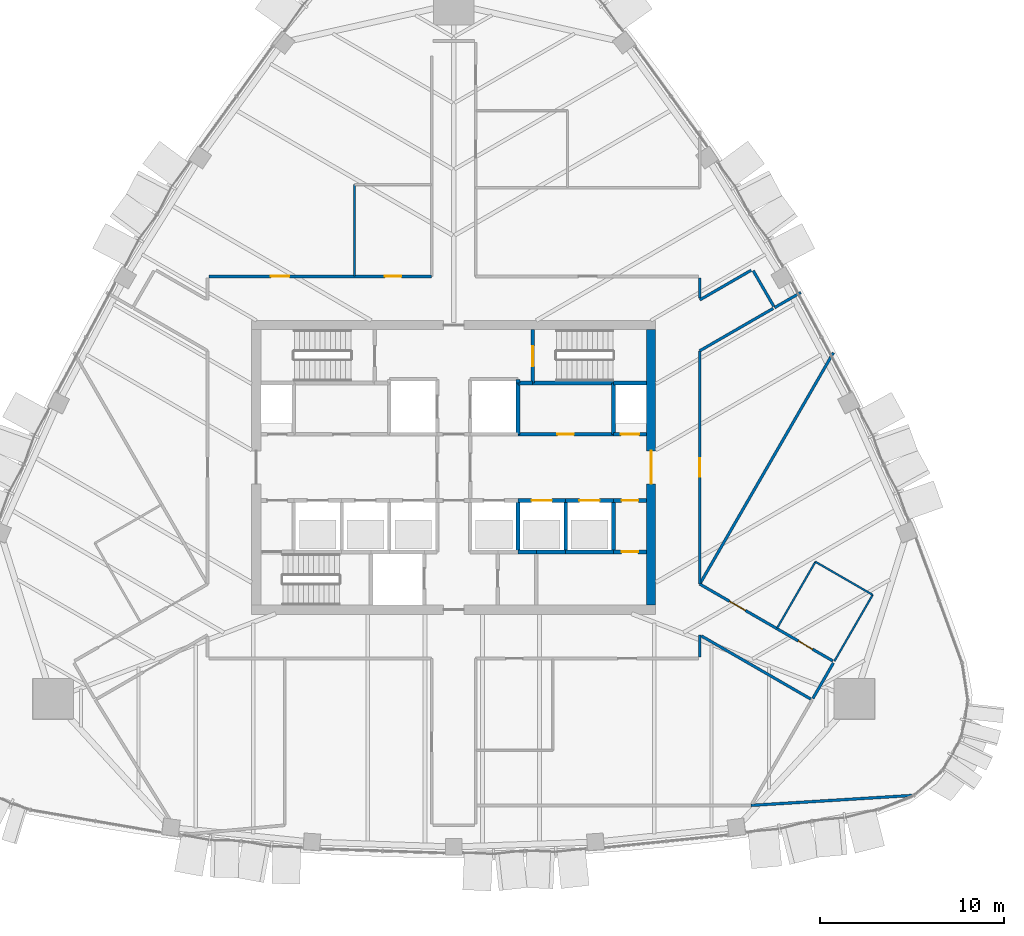
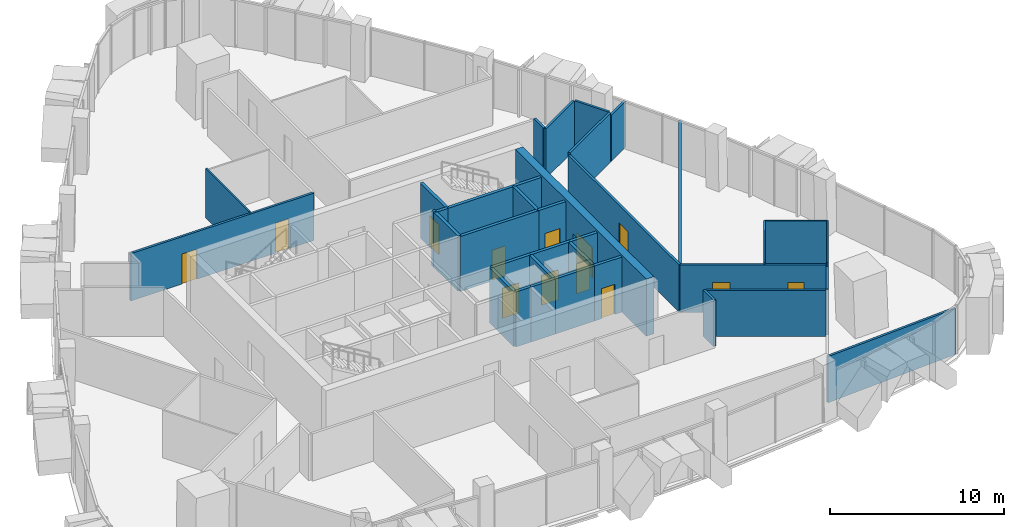
# One storey, part 13 of 18: 37 walls, 13 doors, 13 openings.
"""IFC4 building model written with IfcOpenShell, lengths in metres."""

from ifc_helpers import new_model, si_unit, direction, frame, frame_2d, origin, place, context, subcontext, project, spatial, rectangle, extrude, material, layer, layer_set, type_object, element, fill, save


model = new_model("IFC4")

# Units and contexts
model_context = context("Model", 3, precision=1e-05, world=origin(), true_north=direction((0.0, 1.0)))
body_context = subcontext(model_context, "Body", "Model", "MODEL_VIEW")
ifc_project = project(units=[si_unit("LENGTHUNIT", "METRE"), si_unit("AREAUNIT", "SQUARE_METRE"), si_unit("VOLUMEUNIT", "CUBIC_METRE"), si_unit("PLANEANGLEUNIT", "RADIAN"), si_unit("MASSUNIT", "GRAM", prefix="KILO")], contexts=[model_context])

# Site, building, storey
site_placement = place(None, origin())
site = spatial("IfcSite", under=ifc_project, at=site_placement, CompositionType="ELEMENT")
building_placement = place(site_placement, origin())
building = spatial("IfcBuilding", under=site, at=building_placement, Name="Sierra Prisma Convention Tower", CompositionType="ELEMENT")
storey_placement = place(building_placement, frame((0.0, 0.0, 247.0)))
storey = spatial("IfcBuildingStorey", under=building, at=storey_placement, Name="L55", CompositionType="ELEMENT", Elevation=247.0)

# Walls
ifc_material_1 = material(Name="Gypsum board partition", Category="gypsum")
ifc_layer_1 = layer(ifc_material_1, 0.10009765625)
ifc_layer_set_1 = layer_set([ifc_layer_1], Name="Bathroom partition 100")
wall_type_1 = type_object("IfcWallType", Name="Bathroom partition 100", PredefinedType="PARTITIONING", material=ifc_layer_set_1)
wall_1_placement = place(storey_placement, frame((-5.39990234375, 10.429931640625, 0.0), z_axis=(0.0, 0.0, 1.0), x_axis=(0.0, 1.0, 0.0)))
element("IfcWall", 1, at=wall_1_placement, inside=storey, type_object=wall_type_1, Name="Partition L55 bath 3", PredefinedType="PARTITIONING", context=body_context, shape_type="SweptSolid", body=[
    extrude(rectangle(XDim=4.969970703125, YDim=0.10009765625, at=frame_2d((2.48486328125, 0.0))), origin(), (0.0, 0.0, 1.0), 3.449951171875),
])
wall_2_placement = place(storey_placement, frame((17.611328125, -8.747802734375, 0.0), z_axis=(0.0, 0.0, 1.0), x_axis=(0.499967396439, 0.866044226641, 0.0)))
element("IfcWall", 2, at=wall_2_placement, inside=storey, type_object=wall_type_1, Name="Partition L55 bath 9", PredefinedType="PARTITIONING", context=body_context, shape_type="SweptSolid", body=[
    extrude(rectangle(XDim=4.170166015625, YDim=0.10009765625, at=frame_2d((2.0849609375, 0.0))), origin(), (0.0, 0.0, 1.0), 3.449951171875),
])
wall_3_placement = place(storey_placement, frame((19.6962890625, -5.13623046875, 0.0), z_axis=(0.0, 0.0, 1.0), x_axis=(0.866035395735, -0.499982693035, 0.0)))
element("IfcWall", 3, at=wall_3_placement, inside=storey, type_object=wall_type_1, Name="Partition L55 bath 10", PredefinedType="PARTITIONING", context=body_context, shape_type="SweptSolid", body=[
    extrude(rectangle(XDim=3.600341796875, YDim=0.10009765625, at=frame_2d((1.80029296875, 0.0))), origin(), (0.0, 0.0, 1.0), 3.443115234375),
])
wall_4_placement = place(storey_placement, frame((22.814208984375, -6.936279296875, 0.0), z_axis=(0.0, 0.0, 1.0), x_axis=(-0.500036655653, -0.866004239599, 0.0)))
element("IfcWall", 4, at=wall_4_placement, inside=storey, type_object=wall_type_1, Name="Partition L55 bath 11", PredefinedType="PARTITIONING", context=body_context, shape_type="SweptSolid", body=[
    extrude(rectangle(XDim=4.170166015625, YDim=0.10009765625, at=frame_2d((2.0849609375, 0.0))), origin(), (0.0, 0.0, 1.0), 3.449951171875),
])
ifc_material_2 = material(Name="Concrete C30/37", Category="concrete")
ifc_layer_2 = layer(ifc_material_2, 0.199951171875)
ifc_layer_set_2 = layer_set([ifc_layer_2], Name="Core wall RC 200 C30/37")
wall_type_2 = type_object("IfcWallType", Name="Core wall RC 200 C30/37", PredefinedType="SOLIDWALL", material=ifc_layer_set_2)
wall_5_placement = place(storey_placement, frame((3.5, 4.60009765625, 0.0), z_axis=(0.0, 0.0, 1.0), x_axis=(0.0, 1.0, 0.0)))
element("IfcWall", 5, at=wall_5_placement, inside=storey, type_object=wall_type_2, Name="Core wall L55 37", PredefinedType="SOLIDWALL", context=body_context, shape_type="SweptSolid", body=[
    extrude(rectangle(XDim=0.199951171875, YDim=0.199951171875, at=frame_2d((0.10009765625, 0.0))), origin(), (0.0, 0.0, 1.0), 3.85009765625),
])
wall_6_placement = place(storey_placement, frame((4.5, -4.60009765625, 0.0), z_axis=(0.0, 0.0, 1.0), x_axis=(-1.0, 0.0, 0.0)))
element("IfcWall", 6, at=wall_6_placement, inside=storey, type_object=wall_type_2, Name="Core wall L55 42", PredefinedType="SOLIDWALL", context=body_context, shape_type="SweptSolid", body=[
    extrude(rectangle(XDim=1.0, YDim=0.199951171875, at=frame_2d((0.5, 0.0))), origin(), (0.0, 0.0, 1.0), 3.85009765625),
])
wall_7_placement = place(storey_placement, frame((3.5, -4.60009765625, 0.0), z_axis=(0.0, 0.0, 1.0), x_axis=(0.0, 1.0, 0.0)))
element("IfcWall", 7, at=wall_7_placement, inside=storey, type_object=wall_type_2, Name="Core wall L55 43", PredefinedType="SOLIDWALL", context=body_context, shape_type="SweptSolid", body=[
    extrude(rectangle(XDim=2.800048828125, YDim=0.199951171875, at=frame_2d((1.39990234375, 0.0))), origin(), (0.0, 0.0, 1.0), 3.85009765625),
])

# Wall, opening, door
wall_8_placement = place(storey_placement, frame((3.5, -1.800048828125, 0.0), z_axis=(0.0, 0.0, 1.0), x_axis=(1.0, 0.0, 0.0)))
wall_8 = element("IfcWall", 8, at=wall_8_placement, inside=storey, type_object=wall_type_2, Name="Core wall L55 44", PredefinedType="SOLIDWALL", context=body_context, shape_type="SweptSolid", body=[
    extrude(rectangle(XDim=2.60009765625, YDim=0.199951171875, at=frame_2d((1.300048828125, 0.0))), origin(), (0.0, 0.0, 1.0), 3.85009765625),
])
opening_1_placement = place(wall_8_placement, frame((0.75, 0.0, 0.0)))
opening_1 = element("IfcOpeningElement", 9, at=opening_1_placement, cuts=wall_8, Name="Opening L55-D005", PredefinedType="OPENING", context=body_context, shape_type="SweptSolid", body=[
    extrude(rectangle(XDim=1.10009765625, YDim=2.10009765625, at=frame_2d((0.550048828125, 1.050048828125))), frame((0.0, 0.10009765625, 0.0), z_axis=(0.0, -1.0, 0.0), x_axis=(1.0, 0.0, 0.0)), (0.0, 0.0, 1.0), 0.199951171875),
])
ifc_material_3 = material(Name="Steel fire door leaf", Category="steel")
door_type_1 = type_object("IfcDoorType", Name="Door 1100x2100 EI 90 sliding lift landing", OperationType="SLIDING_TO_LEFT", PredefinedType="DOOR", material=ifc_material_3)
door_1_placement = place(opening_1_placement, origin())
door_1 = element("IfcDoor", 10, at=door_1_placement, inside=storey, type_object=door_type_1, Name="Door L55 20", OperationType="SLIDING_TO_LEFT", OverallHeight=2.10009765625, OverallWidth=1.10009765625, PredefinedType="DOOR", context=body_context, shape_type="SweptSolid", body=[
    extrude(rectangle(XDim=1.10009765625, YDim=2.10009765625, at=frame_2d((0.550048828125, 1.050048828125))), frame((0.0, 0.02490234375, 0.0), z_axis=(0.0, -1.0, 0.0), x_axis=(1.0, 0.0, 0.0)), (0.0, 0.0, 1.0), 0.050048828125),
])
fill(opening_1, door_1)

wall_9_placement = place(storey_placement, frame((3.5, 1.800048828125, 0.0), z_axis=(0.0, 0.0, 1.0), x_axis=(1.0, 0.0, 0.0)))
wall_9 = element("IfcWall", 11, at=wall_9_placement, inside=storey, type_object=wall_type_2, Name="Core wall L55 45", PredefinedType="SOLIDWALL", context=body_context, shape_type="SweptSolid", body=[
    extrude(rectangle(XDim=5.199951171875, YDim=0.199951171875, at=frame_2d((2.60009765625, 0.0))), origin(), (0.0, 0.0, 1.0), 3.85009765625),
])
opening_2_placement = place(wall_9_placement, frame((2.14990234375, 0.0, 0.0)))
opening_2 = element("IfcOpeningElement", 12, at=opening_2_placement, cuts=wall_9, Name="Opening L55-D020", PredefinedType="OPENING", context=body_context, shape_type="SweptSolid", body=[
    extrude(rectangle(XDim=0.89990234375, YDim=2.10009765625, at=frame_2d((0.449951171875, 1.050048828125))), frame((0.0, 0.10009765625, 0.0), z_axis=(0.0, -1.0, 0.0), x_axis=(1.0, 0.0, 0.0)), (0.0, 0.0, 1.0), 0.199951171875),
])
ifc_material_4 = material(Name="Steel fire door leaf", Category="steel")
door_type_2 = type_object("IfcDoorType", Name="Door 900x2100 FD30S", OperationType="SINGLE_SWING_LEFT", PredefinedType="DOOR", material=ifc_material_4)
door_2_placement = place(opening_2_placement, origin())
door_2 = element("IfcDoor", 13, at=door_2_placement, inside=storey, type_object=door_type_2, Name="Door L55 35", OperationType="SINGLE_SWING_RIGHT", OverallHeight=2.10009765625, OverallWidth=0.89990234375, PredefinedType="DOOR", context=body_context, shape_type="SweptSolid", body=[
    extrude(rectangle(XDim=0.89990234375, YDim=2.10009765625, at=frame_2d((0.449951171875, 1.050048828125))), frame((0.0, 0.02490234375, 0.0), z_axis=(0.0, -1.0, 0.0), x_axis=(1.0, 0.0, 0.0)), (0.0, 0.0, 1.0), 0.050048828125),
])
fill(opening_2, door_2)

# Walls
wall_10_placement = place(storey_placement, frame((3.5, 4.60009765625, 0.0), z_axis=(0.0, 0.0, 1.0), x_axis=(0.0, -1.0, 0.0)))
element("IfcWall", 14, at=wall_10_placement, inside=storey, type_object=wall_type_2, Name="Core wall L55 46", PredefinedType="SOLIDWALL", context=body_context, shape_type="SweptSolid", body=[
    extrude(rectangle(XDim=2.800048828125, YDim=0.199951171875, at=frame_2d((1.39990234375, 0.0))), origin(), (0.0, 0.0, 1.0), 3.85009765625),
])
wall_11_placement = place(storey_placement, frame((4.300048828125, 4.60009765625, 0.0), z_axis=(0.0, 0.0, 1.0), x_axis=(-1.0, 0.0, 0.0)))
element("IfcWall", 15, at=wall_11_placement, inside=storey, type_object=wall_type_2, Name="Core wall L55 47", PredefinedType="SOLIDWALL", context=body_context, shape_type="SweptSolid", body=[
    extrude(rectangle(XDim=0.800048828125, YDim=0.199951171875, at=frame_2d((0.39990234375, 0.0))), origin(), (0.0, 0.0, 1.0), 3.85009765625),
])
wall_12_placement = place(storey_placement, frame((8.699951171875, 4.60009765625, 0.0), z_axis=(0.0, 0.0, 1.0), x_axis=(-1.0, 0.0, 0.0)))
element("IfcWall", 16, at=wall_12_placement, inside=storey, type_object=wall_type_2, Name="Core wall L55 48", PredefinedType="SOLIDWALL", context=body_context, shape_type="SweptSolid", body=[
    extrude(rectangle(XDim=4.39990234375, YDim=0.199951171875, at=frame_2d((2.199951171875, 0.0))), origin(), (0.0, 0.0, 1.0), 3.85009765625),
])

# Wall, opening, door
wall_13_placement = place(storey_placement, frame((4.300048828125, 7.5, 0.0), z_axis=(0.0, 0.0, 1.0), x_axis=(0.0, -1.0, 0.0)))
wall_13 = element("IfcWall", 17, at=wall_13_placement, inside=storey, type_object=wall_type_2, Name="Core wall L55 49", PredefinedType="SOLIDWALL", context=body_context, shape_type="SweptSolid", body=[
    extrude(rectangle(XDim=2.89990234375, YDim=0.199951171875, at=frame_2d((1.449951171875, 0.0))), origin(), (0.0, 0.0, 1.0), 3.85009765625),
])
opening_3_placement = place(wall_13_placement, frame((0.89990234375, 0.0, 0.0)))
opening_3 = element("IfcOpeningElement", 18, at=opening_3_placement, cuts=wall_13, Name="Opening L55-D019", PredefinedType="OPENING", context=body_context, shape_type="SweptSolid", body=[
    extrude(rectangle(XDim=1.10009765625, YDim=2.10009765625, at=frame_2d((0.550048828125, 1.050048828125))), frame((0.0, 0.10009765625, 0.0), z_axis=(0.0, -1.0, 0.0), x_axis=(1.0, 0.0, 0.0)), (0.0, 0.0, 1.0), 0.199951171875),
])
ifc_material_5 = material(Name="Steel fire door leaf", Category="steel")
door_type_3 = type_object("IfcDoorType", Name="Door 1100x2100 FD90S", OperationType="SINGLE_SWING_LEFT", PredefinedType="DOOR", material=ifc_material_5)
door_3_placement = place(opening_3_placement, origin())
door_3 = element("IfcDoor", 19, at=door_3_placement, inside=storey, type_object=door_type_3, Name="Door L55 34", OperationType="SINGLE_SWING_RIGHT", OverallHeight=2.10009765625, OverallWidth=1.10009765625, PredefinedType="DOOR", context=body_context, shape_type="SweptSolid", body=[
    extrude(rectangle(XDim=1.10009765625, YDim=2.10009765625, at=frame_2d((0.550048828125, 1.050048828125))), frame((0.0, 0.02490234375, 0.0), z_axis=(0.0, -1.0, 0.0), x_axis=(1.0, 0.0, 0.0)), (0.0, 0.0, 1.0), 0.050048828125),
])
fill(opening_3, door_3)

# Walls
wall_14_placement = place(storey_placement, frame((6.10009765625, -4.60009765625, 0.0), z_axis=(0.0, 0.0, 1.0), x_axis=(-1.0, 0.0, 0.0)))
element("IfcWall", 20, at=wall_14_placement, inside=storey, type_object=wall_type_2, Name="Core wall L55 51", PredefinedType="SOLIDWALL", context=body_context, shape_type="SweptSolid", body=[
    extrude(rectangle(XDim=1.60009765625, YDim=0.199951171875, at=frame_2d((0.800048828125, 0.0))), origin(), (0.0, 0.0, 1.0), 3.85009765625),
])
wall_15_placement = place(storey_placement, frame((8.699951171875, -4.60009765625, 0.0), z_axis=(0.0, 0.0, 1.0), x_axis=(-1.0, 0.0, 0.0)))
element("IfcWall", 21, at=wall_15_placement, inside=storey, type_object=wall_type_2, Name="Core wall L55 52", PredefinedType="SOLIDWALL", context=body_context, shape_type="SweptSolid", body=[
    extrude(rectangle(XDim=2.599853515625, YDim=0.199951171875, at=frame_2d((1.2998046875, 0.0))), origin(), (0.0, 0.0, 1.0), 3.85009765625),
])
wall_16_placement = place(storey_placement, frame((6.10009765625, -4.60009765625, 0.0), z_axis=(0.0, 0.0, 1.0), x_axis=(0.0, 1.0, 0.0)))
element("IfcWall", 22, at=wall_16_placement, inside=storey, type_object=wall_type_2, Name="Core wall L55 53", PredefinedType="SOLIDWALL", context=body_context, shape_type="SweptSolid", body=[
    extrude(rectangle(XDim=2.800048828125, YDim=0.199951171875, at=frame_2d((1.39990234375, 0.0))), origin(), (0.0, 0.0, 1.0), 3.85009765625),
])

# Wall, opening, door
wall_17_placement = place(storey_placement, frame((6.10009765625, -1.800048828125, 0.0), z_axis=(0.0, 0.0, 1.0), x_axis=(1.0, 0.0, 0.0)))
wall_17 = element("IfcWall", 23, at=wall_17_placement, inside=storey, type_object=wall_type_2, Name="Core wall L55 54", PredefinedType="SOLIDWALL", context=body_context, shape_type="SweptSolid", body=[
    extrude(rectangle(XDim=2.599853515625, YDim=0.199951171875, at=frame_2d((1.2998046875, 0.0))), origin(), (0.0, 0.0, 1.0), 3.85009765625),
])
opening_4_placement = place(wall_17_placement, frame((0.75, 0.0, 0.0)))
opening_4 = element("IfcOpeningElement", 24, at=opening_4_placement, cuts=wall_17, Name="Opening L55-D006", PredefinedType="OPENING", context=body_context, shape_type="SweptSolid", body=[
    extrude(rectangle(XDim=1.10009765625, YDim=2.10009765625, at=frame_2d((0.550048828125, 1.050048828125))), frame((0.0, 0.10009765625, 0.0), z_axis=(0.0, -1.0, 0.0), x_axis=(1.0, 0.0, 0.0)), (0.0, 0.0, 1.0), 0.199951171875),
])
door_4_placement = place(opening_4_placement, origin())
door_4 = element("IfcDoor", 25, at=door_4_placement, inside=storey, type_object=door_type_1, Name="Door L55 21", OperationType="SLIDING_TO_LEFT", OverallHeight=2.10009765625, OverallWidth=1.10009765625, PredefinedType="DOOR", context=body_context, shape_type="SweptSolid", body=[
    extrude(rectangle(XDim=1.10009765625, YDim=2.10009765625, at=frame_2d((0.550048828125, 1.050048828125))), frame((0.0, 0.02490234375, 0.0), z_axis=(0.0, -1.0, 0.0), x_axis=(1.0, 0.0, 0.0)), (0.0, 0.0, 1.0), 0.050048828125),
])
fill(opening_4, door_4)

wall_18_placement = place(storey_placement, frame((10.5, -4.60009765625, 0.0), z_axis=(0.0, 0.0, 1.0), x_axis=(-1.0, 0.0, 0.0)))
wall_18 = element("IfcWall", 26, at=wall_18_placement, inside=storey, type_object=wall_type_2, Name="Core wall L55 55", PredefinedType="SOLIDWALL", context=body_context, shape_type="SweptSolid", body=[
    extrude(rectangle(XDim=1.800048828125, YDim=0.199951171875, at=frame_2d((0.89990234375, 0.0))), origin(), (0.0, 0.0, 1.0), 3.85009765625),
])
opening_5_placement = place(wall_18_placement, frame((0.4599609375, 0.0, 0.0)))
opening_5 = element("IfcOpeningElement", 27, at=opening_5_placement, cuts=wall_18, Name="Opening L55-D022", PredefinedType="OPENING", context=body_context, shape_type="SweptSolid", body=[
    extrude(rectangle(XDim=0.89990234375, YDim=2.10009765625, at=frame_2d((0.449951171875, 1.050048828125))), frame((0.0, 0.10009765625, 0.0), z_axis=(0.0, -1.0, 0.0), x_axis=(1.0, 0.0, 0.0)), (0.0, 0.0, 1.0), 0.199951171875),
])
door_5_placement = place(opening_5_placement, origin())
door_5 = element("IfcDoor", 28, at=door_5_placement, inside=storey, type_object=door_type_2, Name="Door L55 37", OperationType="SINGLE_SWING_LEFT", OverallHeight=2.10009765625, OverallWidth=0.89990234375, PredefinedType="DOOR", context=body_context, shape_type="SweptSolid", body=[
    extrude(rectangle(XDim=0.89990234375, YDim=2.10009765625, at=frame_2d((0.449951171875, 1.050048828125))), frame((0.0, 0.02490234375, 0.0), z_axis=(0.0, -1.0, 0.0), x_axis=(1.0, 0.0, 0.0)), (0.0, 0.0, 1.0), 0.050048828125),
])
fill(opening_5, door_5)

# Wall
wall_19_placement = place(storey_placement, frame((8.699951171875, -1.800048828125, 0.0), z_axis=(0.0, 0.0, 1.0), x_axis=(0.0, -1.0, 0.0)))
element("IfcWall", 29, at=wall_19_placement, inside=storey, type_object=wall_type_2, Name="Core wall L55 56", PredefinedType="SOLIDWALL", context=body_context, shape_type="SweptSolid", body=[
    extrude(rectangle(XDim=2.800048828125, YDim=0.199951171875, at=frame_2d((1.39990234375, 0.0))), origin(), (0.0, 0.0, 1.0), 3.85009765625),
])

# Wall, opening, door
wall_20_placement = place(storey_placement, frame((8.699951171875, -1.800048828125, 0.0), z_axis=(0.0, 0.0, 1.0), x_axis=(1.0, 0.0, 0.0)))
wall_20 = element("IfcWall", 30, at=wall_20_placement, inside=storey, type_object=wall_type_2, Name="Core wall L55 57", PredefinedType="SOLIDWALL", context=body_context, shape_type="SweptSolid", body=[
    extrude(rectangle(XDim=1.800048828125, YDim=0.199951171875, at=frame_2d((0.89990234375, 0.0))), origin(), (0.0, 0.0, 1.0), 3.85009765625),
])
opening_6_placement = place(wall_20_placement, frame((0.449951171875, 0.0, 0.0)))
opening_6 = element("IfcOpeningElement", 31, at=opening_6_placement, cuts=wall_20, Name="Opening L55-D023", PredefinedType="OPENING", context=body_context, shape_type="SweptSolid", body=[
    extrude(rectangle(XDim=0.89990234375, YDim=2.10009765625, at=frame_2d((0.449951171875, 1.050048828125))), frame((0.0, 0.10009765625, 0.0), z_axis=(0.0, -1.0, 0.0), x_axis=(1.0, 0.0, 0.0)), (0.0, 0.0, 1.0), 0.199951171875),
])
door_6_placement = place(opening_6_placement, origin())
door_6 = element("IfcDoor", 32, at=door_6_placement, inside=storey, type_object=door_type_2, Name="Door L55 38", OperationType="SINGLE_SWING_LEFT", OverallHeight=2.10009765625, OverallWidth=0.89990234375, PredefinedType="DOOR", context=body_context, shape_type="SweptSolid", body=[
    extrude(rectangle(XDim=0.89990234375, YDim=2.10009765625, at=frame_2d((0.449951171875, 1.050048828125))), frame((0.0, 0.02490234375, 0.0), z_axis=(0.0, -1.0, 0.0), x_axis=(1.0, 0.0, 0.0)), (0.0, 0.0, 1.0), 0.050048828125),
])
fill(opening_6, door_6)

wall_21_placement = place(storey_placement, frame((10.5, 1.800048828125, 0.0), z_axis=(0.0, 0.0, 1.0), x_axis=(-1.0, 0.0, 0.0)))
wall_21 = element("IfcWall", 33, at=wall_21_placement, inside=storey, type_object=wall_type_2, Name="Core wall L55 58", PredefinedType="SOLIDWALL", context=body_context, shape_type="SweptSolid", body=[
    extrude(rectangle(XDim=1.800048828125, YDim=0.199951171875, at=frame_2d((0.89990234375, 0.0))), origin(), (0.0, 0.0, 1.0), 3.85009765625),
])
opening_7_placement = place(wall_21_placement, frame((0.39990234375, 0.0, 0.0)))
opening_7 = element("IfcOpeningElement", 34, at=opening_7_placement, cuts=wall_21, Name="Opening L55-D016", PredefinedType="OPENING", context=body_context, shape_type="SweptSolid", body=[
    extrude(rectangle(XDim=1.0, YDim=2.10009765625, at=frame_2d((0.5, 1.050048828125))), frame((0.0, 0.10009765625, 0.0), z_axis=(0.0, -1.0, 0.0), x_axis=(1.0, 0.0, 0.0)), (0.0, 0.0, 1.0), 0.199951171875),
])
ifc_material_6 = material(Name="Steel fire door leaf", Category="steel")
door_type_4 = type_object("IfcDoorType", Name="Door 1000x2100 FD60S", OperationType="SINGLE_SWING_LEFT", PredefinedType="DOOR", material=ifc_material_6)
door_7_placement = place(opening_7_placement, origin())
door_7 = element("IfcDoor", 35, at=door_7_placement, inside=storey, type_object=door_type_4, Name="Door L55 31", OperationType="SINGLE_SWING_LEFT", OverallHeight=2.10009765625, OverallWidth=1.0, PredefinedType="DOOR", context=body_context, shape_type="SweptSolid", body=[
    extrude(rectangle(XDim=1.0, YDim=2.10009765625, at=frame_2d((0.5, 1.050048828125))), frame((0.0, 0.02490234375, 0.0), z_axis=(0.0, -1.0, 0.0), x_axis=(1.0, 0.0, 0.0)), (0.0, 0.0, 1.0), 0.050048828125),
])
fill(opening_7, door_7)

# Walls
wall_22_placement = place(storey_placement, frame((8.699951171875, 1.800048828125, 0.0), z_axis=(0.0, 0.0, 1.0), x_axis=(0.0, 1.0, 0.0)))
element("IfcWall", 36, at=wall_22_placement, inside=storey, type_object=wall_type_2, Name="Core wall L55 59", PredefinedType="SOLIDWALL", context=body_context, shape_type="SweptSolid", body=[
    extrude(rectangle(XDim=2.800048828125, YDim=0.199951171875, at=frame_2d((1.39990234375, 0.0))), origin(), (0.0, 0.0, 1.0), 3.85009765625),
])
wall_23_placement = place(storey_placement, frame((10.5, 4.60009765625, 0.0), z_axis=(0.0, 0.0, 1.0), x_axis=(-1.0, 0.0, 0.0)))
element("IfcWall", 37, at=wall_23_placement, inside=storey, type_object=wall_type_2, Name="Core wall L55 60", PredefinedType="SOLIDWALL", context=body_context, shape_type="SweptSolid", body=[
    extrude(rectangle(XDim=1.800048828125, YDim=0.199951171875, at=frame_2d((0.89990234375, 0.0))), origin(), (0.0, 0.0, 1.0), 3.85009765625),
])

# Wall, opening, door
ifc_material_7 = material(Name="Concrete C50/60", Category="concrete")
ifc_layer_3 = layer(ifc_material_7, 0.5)
ifc_layer_set_3 = layer_set([ifc_layer_3], Name="Core wall RC 500 C50/60")
wall_type_3 = type_object("IfcWallType", Name="Core wall RC 500 C50/60", PredefinedType="SHEAR", material=ifc_layer_set_3)
wall_24_placement = place(storey_placement, frame((10.75, -7.5, 0.0), z_axis=(0.0, 0.0, 1.0), x_axis=(0.0, 1.0, 0.0)))
wall_24 = element("IfcWall", 38, at=wall_24_placement, inside=storey, type_object=wall_type_3, Name="Core wall E L55", PredefinedType="SHEAR", context=body_context, shape_type="SweptSolid", body=[
    extrude(rectangle(XDim=15.0, YDim=0.5, at=frame_2d((7.5, 0.0))), origin(), (0.0, 0.0, 1.0), 4.0),
])
opening_8_placement = place(wall_24_placement, frame((6.60009765625, 0.0, 0.0)))
opening_8 = element("IfcOpeningElement", 39, at=opening_8_placement, cuts=wall_24, Name="Opening L55-D040", PredefinedType="OPENING", context=body_context, shape_type="SweptSolid", body=[
    extrude(rectangle(XDim=1.800048828125, YDim=2.10009765625, at=frame_2d((0.89990234375, 1.050048828125))), frame((0.0, 0.25, 0.0), z_axis=(0.0, -1.0, 0.0), x_axis=(1.0, 0.0, 0.0)), (0.0, 0.0, 1.0), 0.5),
])
ifc_material_8 = material(Name="Steel fire door leaf", Category="steel")
door_type_5 = type_object("IfcDoorType", Name="Door 1800x2100 FD60S", OperationType="DOUBLE_DOOR_SINGLE_SWING", PredefinedType="DOOR", material=ifc_material_8)
door_8_placement = place(opening_8_placement, origin())
door_8 = element("IfcDoor", 40, at=door_8_placement, inside=storey, type_object=door_type_5, Name="Door L55 41", OperationType="DOUBLE_DOOR_SINGLE_SWING", OverallHeight=2.10009765625, OverallWidth=1.800048828125, PredefinedType="DOOR", context=body_context, shape_type="SweptSolid", body=[
    extrude(rectangle(XDim=1.800048828125, YDim=2.10009765625, at=frame_2d((0.89990234375, 1.050048828125))), frame((0.0, 0.02490234375, 0.0), z_axis=(0.0, -1.0, 0.0), x_axis=(1.0, 0.0, 0.0)), (0.0, 0.0, 1.0), 0.050048828125),
])
fill(opening_8, door_8)

# Wall, openings, doors
ifc_material_9 = material(Name="Gypsum board partition", Category="gypsum")
ifc_layer_4 = layer(ifc_material_9, 0.14990234375)
ifc_layer_set_4 = layer_set([ifc_layer_4], Name="Corridor wall 150 gypsum EI 60")
wall_type_4 = type_object("IfcWallType", Name="Corridor wall 150 gypsum EI 60", PredefinedType="PARTITIONING", material=ifc_layer_set_4)
wall_25_placement = place(storey_placement, frame((-1.199951171875, 10.39990234375, 0.0), z_axis=(0.0, 0.0, 1.0), x_axis=(-1.0, 0.0, 0.0)))
wall_25 = element("IfcWall", 41, at=wall_25_placement, inside=storey, type_object=wall_type_4, Name="Partition L55 corr 13", PredefinedType="PARTITIONING", context=body_context, shape_type="SweptSolid", body=[
    extrude(rectangle(XDim=12.1201171875, YDim=0.14990234375, at=frame_2d((6.06005859375, 0.0))), origin(), (0.0, 0.0, 1.0), 3.31689453125),
])
opening_9_placement = place(wall_25_placement, frame((1.64990234375, 0.0, 0.0)))
opening_9 = element("IfcOpeningElement", 42, at=opening_9_placement, cuts=wall_25, Name="Opening L55-D029", PredefinedType="OPENING", context=body_context, shape_type="SweptSolid", body=[
    extrude(rectangle(XDim=0.89990234375, YDim=2.10009765625, at=frame_2d((0.449951171875, 1.050048828125))), frame((0.0, 0.074951171875, 0.0), z_axis=(0.0, -1.0, 0.0), x_axis=(1.0, 0.0, 0.0)), (0.0, 0.0, 1.0), 0.14990234375),
])
opening_10_placement = place(wall_25_placement, frame((7.75, 0.0, 0.0)))
opening_10 = element("IfcOpeningElement", 43, at=opening_10_placement, cuts=wall_25, Name="Opening L55-D030", PredefinedType="OPENING", context=body_context, shape_type="SweptSolid", body=[
    extrude(rectangle(XDim=1.0, YDim=2.10009765625, at=frame_2d((0.5, 1.050048828125))), frame((0.0, 0.074951171875, 0.0), z_axis=(0.0, -1.0, 0.0), x_axis=(1.0, 0.0, 0.0)), (0.0, 0.0, 1.0), 0.14990234375),
])
ifc_material_10 = material(Name="Steel fire door leaf", Category="steel")
door_type_6 = type_object("IfcDoorType", Name="Door 1000x2100 FD30S", OperationType="SINGLE_SWING_LEFT", PredefinedType="DOOR", material=ifc_material_10)
door_9_placement = place(opening_10_placement, origin())
door_9 = element("IfcDoor", 44, at=door_9_placement, inside=storey, type_object=door_type_6, Name="Door L55 6", OperationType="SINGLE_SWING_RIGHT", OverallHeight=2.10009765625, OverallWidth=1.0, PredefinedType="DOOR", context=body_context, shape_type="SweptSolid", body=[
    extrude(rectangle(XDim=1.0, YDim=2.10009765625, at=frame_2d((0.5, 1.050048828125))), frame((0.0, 0.02490234375, 0.0), z_axis=(0.0, -1.0, 0.0), x_axis=(1.0, 0.0, 0.0)), (0.0, 0.0, 1.0), 0.050048828125),
])
fill(opening_10, door_9)
door_10_placement = place(opening_9_placement, origin())
door_10 = element("IfcDoor", 45, at=door_10_placement, inside=storey, type_object=door_type_2, Name="Door L55 5", OperationType="SINGLE_SWING_LEFT", OverallHeight=2.10009765625, OverallWidth=0.89990234375, PredefinedType="DOOR", context=body_context, shape_type="SweptSolid", body=[
    extrude(rectangle(XDim=0.89990234375, YDim=2.10009765625, at=frame_2d((0.449951171875, 1.050048828125))), frame((0.0, 0.02490234375, 0.0), z_axis=(0.0, -1.0, 0.0), x_axis=(1.0, 0.0, 0.0)), (0.0, 0.0, 1.0), 0.050048828125),
])
fill(opening_9, door_10)

# Walls
wall_26_placement = place(storey_placement, frame((13.39990234375, -10.320068359375, 0.0), z_axis=(0.0, 0.0, 1.0), x_axis=(0.0, 1.0, 0.0)))
element("IfcWall", 46, at=wall_26_placement, inside=storey, type_object=wall_type_4, Name="Partition L55 corr 20", PredefinedType="PARTITIONING", context=body_context, shape_type="SweptSolid", body=[
    extrude(rectangle(XDim=1.197998046875, YDim=0.14990234375, at=frame_2d((0.59912109375, 0.0))), origin(), (0.0, 0.0, 1.0), 3.23291015625),
])
wall_27_placement = place(storey_placement, frame((13.479248046875, -9.16796875, 0.0), z_axis=(0.0, 0.0, 1.0), x_axis=(0.866033903246, -0.499985278211, 0.0)))
element("IfcWall", 47, at=wall_27_placement, inside=storey, type_object=wall_type_4, Name="Partition L55 corr 21", PredefinedType="PARTITIONING", context=body_context, shape_type="SweptSolid", body=[
    extrude(rectangle(XDim=6.888427734375, YDim=0.14990234375, at=frame_2d((3.4443359375, 0.0))), origin(), (0.0, 0.0, 1.0), 3.23291015625),
])

# Wall, opening, door
wall_28_placement = place(storey_placement, frame((13.39990234375, -6.350830078125, 0.0), z_axis=(0.0, 0.0, 1.0), x_axis=(0.0, 1.0, 0.0)))
wall_28 = element("IfcWall", 48, at=wall_28_placement, inside=storey, type_object=wall_type_4, Name="Partition L55 corr 22", PredefinedType="PARTITIONING", context=body_context, shape_type="SweptSolid", body=[
    extrude(rectangle(XDim=12.70166015625, YDim=0.14990234375, at=frame_2d((6.350830078125, 0.0))), origin(), (0.0, 0.0, 1.0), 3.31689453125),
])
opening_11_placement = place(wall_28_placement, frame((5.850830078125, 0.0, 0.0)))
opening_11 = element("IfcOpeningElement", 49, at=opening_11_placement, cuts=wall_28, Name="Opening L55-D025", PredefinedType="OPENING", context=body_context, shape_type="SweptSolid", body=[
    extrude(rectangle(XDim=1.0, YDim=2.10009765625, at=frame_2d((0.5, 1.050048828125))), frame((0.0, 0.074951171875, 0.0), z_axis=(0.0, -1.0, 0.0), x_axis=(1.0, 0.0, 0.0)), (0.0, 0.0, 1.0), 0.14990234375),
])
door_11_placement = place(opening_11_placement, origin())
door_11 = element("IfcDoor", 50, at=door_11_placement, inside=storey, type_object=door_type_6, Name="Door L55 1", OperationType="SINGLE_SWING_RIGHT", OverallHeight=2.10009765625, OverallWidth=1.0, PredefinedType="DOOR", context=body_context, shape_type="SweptSolid", body=[
    extrude(rectangle(XDim=1.0, YDim=2.10009765625, at=frame_2d((0.5, 1.050048828125))), frame((0.0, 0.02490234375, 0.0), z_axis=(0.0, -1.0, 0.0), x_axis=(1.0, 0.0, 0.0)), (0.0, 0.0, 1.0), 0.050048828125),
])
fill(opening_11, door_11)

# Wall
wall_29_placement = place(storey_placement, frame((13.39990234375, 6.350830078125, 0.0), z_axis=(0.0, 0.0, 1.0), x_axis=(0.866016621662, 0.500015210774, 0.0)))
element("IfcWall", 51, at=wall_29_placement, inside=storey, type_object=wall_type_4, Name="Partition L55 corr 23", PredefinedType="PARTITIONING", context=body_context, shape_type="SweptSolid", body=[
    extrude(rectangle(XDim=4.619873046875, YDim=0.14990234375, at=frame_2d((2.31005859375, 0.0))), origin(), (0.0, 0.0, 1.0), 3.449951171875),
])

# Wall, openings, doors
wall_30_placement = place(storey_placement, frame((20.644775390625, -10.53369140625, 0.0), z_axis=(0.0, 0.0, 1.0), x_axis=(-0.866023751359, 0.500002862074, 0.0)))
wall_30 = element("IfcWall", 52, at=wall_30_placement, inside=storey, type_object=wall_type_4, Name="Partition L55 corr 24", PredefinedType="PARTITIONING", context=body_context, shape_type="SweptSolid", body=[
    extrude(rectangle(XDim=8.36572265625, YDim=0.14990234375, at=frame_2d((4.182861328125, 0.0))), origin(), (0.0, 0.0, 1.0), 3.31689453125),
])
opening_12_placement = place(wall_30_placement, frame((1.27001953125, 0.0, 0.0)))
opening_12 = element("IfcOpeningElement", 53, at=opening_12_placement, cuts=wall_30, Name="Opening L55-D038", PredefinedType="OPENING", context=body_context, shape_type="SweptSolid", body=[
    extrude(rectangle(XDim=0.89990234375, YDim=2.10009765625, at=frame_2d((0.449951171875, 1.050048828125))), frame((0.0, 0.074951171875, 0.0), z_axis=(0.0, -1.0, 0.0), x_axis=(1.0, 0.0, 0.0)), (0.0, 0.0, 1.0), 0.14990234375),
])
opening_13_placement = place(wall_30_placement, frame((5.492919921875, 0.0, 0.0)))
opening_13 = element("IfcOpeningElement", 54, at=opening_13_placement, cuts=wall_30, Name="Opening L55-D039", PredefinedType="OPENING", context=body_context, shape_type="SweptSolid", body=[
    extrude(rectangle(XDim=1.0, YDim=2.10009765625, at=frame_2d((0.5, 1.050048828125))), frame((0.0, 0.074951171875, 0.0), z_axis=(0.0, -1.0, 0.0), x_axis=(1.0, 0.0, 0.0)), (0.0, 0.0, 1.0), 0.14990234375),
])
door_12_placement = place(opening_13_placement, origin())
door_12 = element("IfcDoor", 55, at=door_12_placement, inside=storey, type_object=door_type_6, Name="Door L55 15", OperationType="SINGLE_SWING_LEFT", OverallHeight=2.10009765625, OverallWidth=1.0, PredefinedType="DOOR", context=body_context, shape_type="SweptSolid", body=[
    extrude(rectangle(XDim=1.0, YDim=2.10009765625, at=frame_2d((0.5, 1.050048828125))), frame((0.0, 0.02490234375, 0.0), z_axis=(0.0, -1.0, 0.0), x_axis=(1.0, 0.0, 0.0)), (0.0, 0.0, 1.0), 0.050048828125),
])
fill(opening_13, door_12)
door_13_placement = place(opening_12_placement, origin())
door_13 = element("IfcDoor", 56, at=door_13_placement, inside=storey, type_object=door_type_2, Name="Door L55 14", OperationType="SINGLE_SWING_RIGHT", OverallHeight=2.10009765625, OverallWidth=0.89990234375, PredefinedType="DOOR", context=body_context, shape_type="SweptSolid", body=[
    extrude(rectangle(XDim=0.89990234375, YDim=2.10009765625, at=frame_2d((0.449951171875, 1.050048828125))), frame((0.0, 0.02490234375, 0.0), z_axis=(0.0, -1.0, 0.0), x_axis=(1.0, 0.0, 0.0)), (0.0, 0.0, 1.0), 0.050048828125),
])
fill(opening_12, door_13)

# Walls
wall_31_placement = place(storey_placement, frame((16.200927734375, 10.7392578125, 0.0), z_axis=(0.0, 0.0, 1.0), x_axis=(-0.866023430837, -0.500003417229, 0.0)))
element("IfcWall", 57, at=wall_31_placement, inside=storey, type_object=wall_type_4, Name="Partition L55 corr 25", PredefinedType="PARTITIONING", context=body_context, shape_type="SweptSolid", body=[
    extrude(rectangle(XDim=3.234375, YDim=0.14990234375, at=frame_2d((1.6171875, 0.0))), origin(), (0.0, 0.0, 1.0), 3.449951171875),
])
wall_32_placement = place(storey_placement, frame((13.39990234375, 9.213623046875, 0.0), z_axis=(0.0, 0.0, 1.0), x_axis=(0.0, 1.0, 0.0)))
element("IfcWall", 58, at=wall_32_placement, inside=storey, type_object=wall_type_4, Name="Partition L55 corr 26", PredefinedType="PARTITIONING", context=body_context, shape_type="SweptSolid", body=[
    extrude(rectangle(XDim=1.1064453125, YDim=0.14990234375, at=frame_2d((0.55322265625, 0.0))), origin(), (0.0, 0.0, 1.0), 3.449951171875),
])
wall_33_placement = place(storey_placement, frame((17.43017578125, 8.77001953125, 0.0), z_axis=(0.0, 0.0, 1.0), x_axis=(-0.49994888933, 0.866054910533, 0.0)))
element("IfcWall", 59, at=wall_33_placement, inside=storey, type_object=wall_type_4, Name="Partition L55 corr 27", PredefinedType="PARTITIONING", context=body_context, shape_type="SweptSolid", body=[
    extrude(rectangle(XDim=2.239990234375, YDim=0.14990234375, at=frame_2d((1.1201171875, 0.0))), origin(), (0.0, 0.0, 1.0), 3.449951171875),
])
wall_34_placement = place(storey_placement, frame((19.55419921875, -12.582763671875, 0.0), z_axis=(0.0, 0.0, 1.0), x_axis=(0.49994888933, 0.866054910533, 0.0)))
element("IfcWall", 60, at=wall_34_placement, inside=storey, type_object=wall_type_4, Name="Partition L55 corr 28", PredefinedType="PARTITIONING", context=body_context, shape_type="SweptSolid", body=[
    extrude(rectangle(XDim=2.239990234375, YDim=0.14990234375, at=frame_2d((1.1201171875, 0.0))), origin(), (0.0, 0.0, 1.0), 3.23291015625),
])
ifc_material_11 = material(Name="Gypsum board partition", Category="gypsum")
ifc_layer_5 = layer(ifc_material_11, 0.14990234375)
ifc_layer_set_5 = layer_set([ifc_layer_5], Name="Party wall 150 gypsum")
wall_type_5 = type_object("IfcWallType", Name="Party wall 150 gypsum", PredefinedType="PARTITIONING", material=ifc_layer_set_5)
wall_35_placement = place(storey_placement, frame((20.674560546875, 6.248779296875, 0.0), z_axis=(0.0, 0.0, 1.0), x_axis=(-0.500013935967, -0.8660173577, 0.0)))
element("IfcWall", 61, at=wall_35_placement, inside=storey, type_object=wall_type_5, Name="Partition L55 party 11", PredefinedType="PARTITIONING", context=body_context, shape_type="SweptSolid", body=[
    extrude(rectangle(XDim=14.548828125, YDim=0.14990234375, at=frame_2d((7.2744140625, 0.0))), origin(), (0.0, 0.0, 1.0), 3.23388671875),
])
wall_36_placement = place(storey_placement, frame((16.195556640625, -18.39990234375, 0.0), z_axis=(0.0, 0.0, 1.0), x_axis=(0.998093542485, 0.061719368516, 0.0)))
element("IfcWall", 62, at=wall_36_placement, inside=storey, type_object=wall_type_5, Name="Partition L55 party 12", PredefinedType="PARTITIONING", context=body_context, shape_type="SweptSolid", body=[
    extrude(rectangle(XDim=8.765625, YDim=0.14990234375, at=frame_2d((4.3828125, 0.0))), origin(), (0.0, 0.0, 1.0), 3.23388671875),
])
wall_37_placement = place(storey_placement, frame((17.47021484375, 8.70068359375, 0.0), z_axis=(0.0, 0.0, 1.0), x_axis=(0.866003217194, 0.500038426333, 0.0)))
element("IfcWall", 63, at=wall_37_placement, inside=storey, type_object=wall_type_5, Name="Partition L55 party 14", PredefinedType="PARTITIONING", context=body_context, shape_type="SweptSolid", body=[
    extrude(rectangle(XDim=1.649658203125, YDim=0.14990234375, at=frame_2d((0.82470703125, 0.0))), origin(), (0.0, 0.0, 1.0), 3.23388671875),
])

save(model, "model.ifc")
